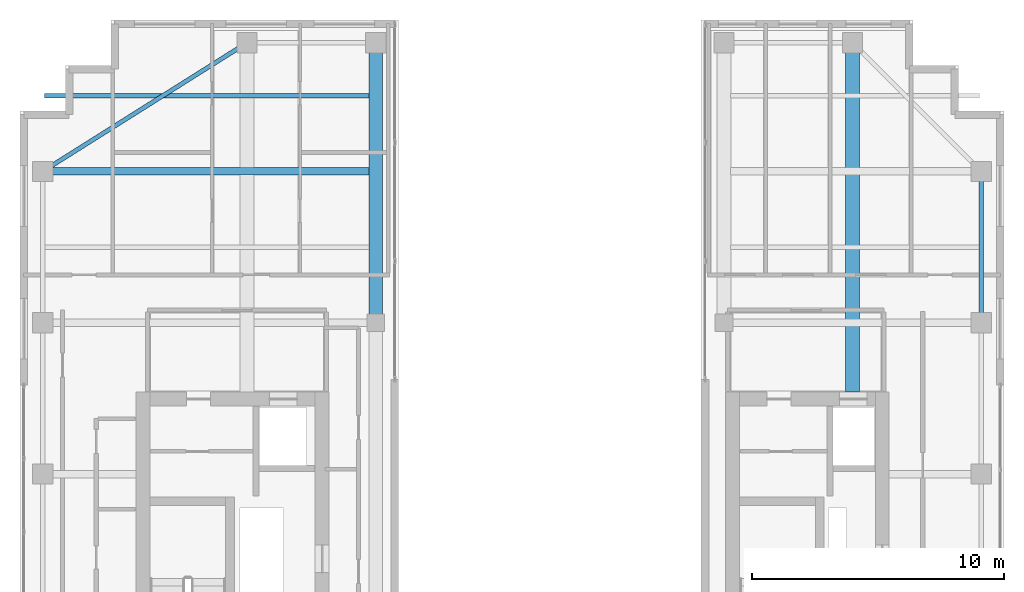
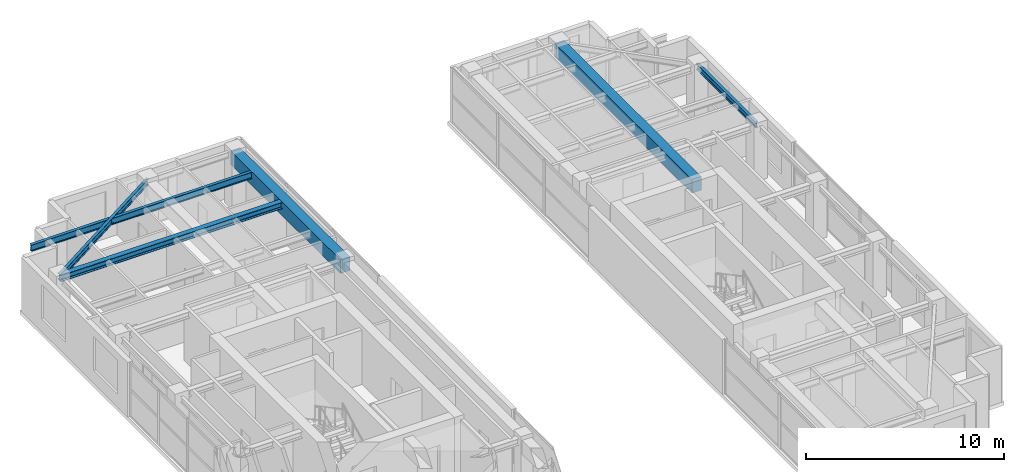
# One storey, part 14 of 23: 6 beams.
"""IFC4 building model written with IfcOpenShell, lengths in metres."""

from ifc_helpers import new_model, si_unit, direction, frame, origin, origin_2d, place, context, subcontext, project, spatial, rectangle, i_section, extrude, source, transform, mapped, material, material_profile, profile_set, type_object, element, save


model = new_model("IFC4")

# Units and contexts
model_context = context("Model", 3, precision=1e-05, world=origin(), true_north=direction((0.0, 1.0)))
body_context = subcontext(model_context, "Body", "Model", "MODEL_VIEW")
ifc_project = project(units=[si_unit("LENGTHUNIT", "METRE"), si_unit("AREAUNIT", "SQUARE_METRE"), si_unit("VOLUMEUNIT", "CUBIC_METRE"), si_unit("PLANEANGLEUNIT", "RADIAN"), si_unit("MASSUNIT", "GRAM", prefix="KILO")], contexts=[model_context])

# Site, building, storey
site_placement = place(None, origin())
site = spatial("IfcSite", under=ifc_project, at=site_placement, CompositionType="ELEMENT")
building_placement = place(site_placement, origin())
building = spatial("IfcBuilding", under=site, at=building_placement, Name="Khoralis Quay Care Tower", CompositionType="ELEMENT")
storey_placement = place(building_placement, frame((0.0, 0.0, 252.89990234375)))
storey = spatial("IfcBuildingStorey", under=building, at=storey_placement, Name="L66", CompositionType="ELEMENT", Elevation=252.89990234375)

# Beams
ifc_material_1 = material(Name="Steel S355", Category="steel")
ifc_material_profile_1 = material_profile(ifc_material_1, i_section(OverallWidth=0.169921875, OverallDepth=0.360107421875, WebThickness=0.008056640625, FlangeThickness=0.0126953125, FilletRadius=0.01806640625, at=origin_2d()), Name="Steel S355")
ifc_profile_set_1 = profile_set([ifc_material_profile_1], Name="Steel S355")
beam_type_1 = type_object("IfcBeamType", Name="BM-IPE360", PredefinedType="SPANDREL", material=ifc_profile_set_1)
shared_shape_1 = source(origin(), body_context, "Body", "SweptSolid", [
    extrude(i_section(OverallWidth=0.169921875, OverallDepth=0.360107421875, WebThickness=0.008056640625, FlangeThickness=0.0126953125, FilletRadius=0.01806640625, at=origin_2d()), origin(), (0.0, 0.0, 1.0), 6.0),
])
beam_1_placement = place(storey_placement, frame((41.10009765625, 30.0, 3.18017578125), z_axis=(0.0, 1.0, 0.0), x_axis=(-1.0, 0.0, 0.0)))
element("IfcBeam", 1, at=beam_1_placement, inside=storey, type_object=beam_type_1, Name="BM-TSP-L66-12", PredefinedType="SPANDREL", context=body_context, shape_type="MappedRepresentation", body=[
    mapped(shared_shape_1, transform((0.0, 0.0, 0.0), scale=1.0)),
])
shared_shape_2 = source(origin(), body_context, "Body", "SweptSolid", [
    extrude(i_section(OverallWidth=0.169921875, OverallDepth=0.360107421875, WebThickness=0.008056640625, FlangeThickness=0.0126953125, FilletRadius=0.01806640625, at=origin_2d()), origin(), (0.0, 0.0, 1.0), 9.572021484375),
])
beam_2_placement = place(storey_placement, frame((12.0, 41.10009765625, 3.18017578125), z_axis=(-0.846231136359, -0.532815975602, 0.0), x_axis=(0.532815975602, -0.846231136359, 0.0)))
element("IfcBeam", 2, at=beam_2_placement, inside=storey, type_object=beam_type_1, Name="BM-TCR-L66-15", PredefinedType="SPANDREL", context=body_context, shape_type="MappedRepresentation", body=[
    mapped(shared_shape_2, transform((0.0, 0.0, 0.0), scale=1.0)),
])
ifc_material_profile_2 = material_profile(ifc_material_1, i_section(OverallWidth=0.300048828125, OverallDepth=0.39990234375, WebThickness=0.013427734375, FlangeThickness=0.02392578125, FilletRadius=0.027099609375, at=origin_2d()), Name="Steel S355")
ifc_profile_set_2 = profile_set([ifc_material_profile_2], Name="Steel S355")
beam_type_2 = type_object("IfcBeamType", Name="BM-HEB400", PredefinedType="BEAM", material=ifc_profile_set_2)
shared_shape_3 = source(origin(), body_context, "Body", "SweptSolid", [
    extrude(i_section(OverallWidth=0.300048828125, OverallDepth=0.39990234375, WebThickness=0.013427734375, FlangeThickness=0.02392578125, FilletRadius=0.027099609375, at=origin_2d()), origin(), (0.0, 0.0, 1.0), 12.93701171875),
])
beam_3_placement = place(storey_placement, frame((3.89990234375, 36.0, 3.16015625), z_axis=(1.0, 0.0, 0.0), x_axis=(0.0, 1.0, 0.0)))
element("IfcBeam", 3, at=beam_3_placement, inside=storey, type_object=beam_type_2, Name="BM-TGXW-L66-360", PredefinedType="BEAM", context=body_context, shape_type="MappedRepresentation", body=[
    mapped(shared_shape_3, transform((0.0, 0.0, 0.0), scale=1.0)),
])
ifc_material_2 = material(Name="Concrete C50/60", Category="concrete")
ifc_material_profile_3 = material_profile(ifc_material_2, rectangle(XDim=0.550048828125, YDim=0.85009765625, at=origin_2d()), Name="Concrete C50/60")
ifc_profile_set_3 = profile_set([ifc_material_profile_3], Name="Concrete C50/60")
beam_type_3 = type_object("IfcBeamType", Name="BM-RC550X850", PredefinedType="BEAM", material=ifc_profile_set_3)
shared_shape_4 = source(origin(), body_context, "Body", "SweptSolid", [
    extrude(rectangle(XDim=0.550048828125, YDim=0.85009765625, at=origin_2d()), origin(), (0.0, 0.0, 1.0), 13.85205078125),
])
beam_4_placement = place(storey_placement, frame((36.0, 27.248046875, 2.93505859375), z_axis=(0.0, 1.0, 0.0), x_axis=(-1.0, 0.0, 0.0)))
element("IfcBeam", 4, at=beam_4_placement, inside=storey, type_object=beam_type_3, Name="BM-TGYN-L66-360", PredefinedType="BEAM", context=body_context, shape_type="MappedRepresentation", body=[
    mapped(shared_shape_4, transform((0.0, 0.0, 0.0), scale=1.0)),
])
shared_shape_5 = source(origin(), body_context, "Body", "SweptSolid", [
    extrude(rectangle(XDim=0.550048828125, YDim=0.85009765625, at=origin_2d()), origin(), (0.0, 0.0, 1.0), 11.10009765625),
])
beam_5_placement = place(storey_placement, frame((17.10009765625, 30.0, 2.93505859375), z_axis=(0.0, 1.0, 0.0), x_axis=(-1.0, 0.0, 0.0)))
element("IfcBeam", 5, at=beam_5_placement, inside=storey, type_object=beam_type_3, Name="BM-TGYN-L66-171", PredefinedType="BEAM", context=body_context, shape_type="MappedRepresentation", body=[
    mapped(shared_shape_5, transform((0.0, 0.0, 0.0), scale=1.0)),
])
ifc_material_profile_4 = material_profile(ifc_material_1, i_section(OverallWidth=0.177978515625, OverallDepth=0.406982421875, WebThickness=0.0078125, FlangeThickness=0.0126953125, FilletRadius=0.012939453125, at=origin_2d()), Name="Steel S355")
ifc_profile_set_4 = profile_set([ifc_material_profile_4], Name="Steel S355")
beam_type_4 = type_object("IfcBeamType", Name="BM-W410X60", PredefinedType="JOIST", material=ifc_profile_set_4)
shared_shape_6 = source(origin(), body_context, "Body", "SweptSolid", [
    extrude(i_section(OverallWidth=0.177978515625, OverallDepth=0.406982421875, WebThickness=0.0078125, FlangeThickness=0.0126953125, FilletRadius=0.012939453125, at=origin_2d()), origin(), (0.0, 0.0, 1.0), 12.865966796875),
])
beam_6_placement = place(storey_placement, frame((3.970947265625, 39.0, 3.156494140625), z_axis=(1.0, 0.0, 0.0), x_axis=(0.0, 1.0, 0.0)))
element("IfcBeam", 6, at=beam_6_placement, inside=storey, type_object=beam_type_4, Name="BM-TJS-L66-21", PredefinedType="JOIST", context=body_context, shape_type="MappedRepresentation", body=[
    mapped(shared_shape_6, transform((0.0, 0.0, 0.0), scale=1.0)),
])

save(model, "model.ifc")
